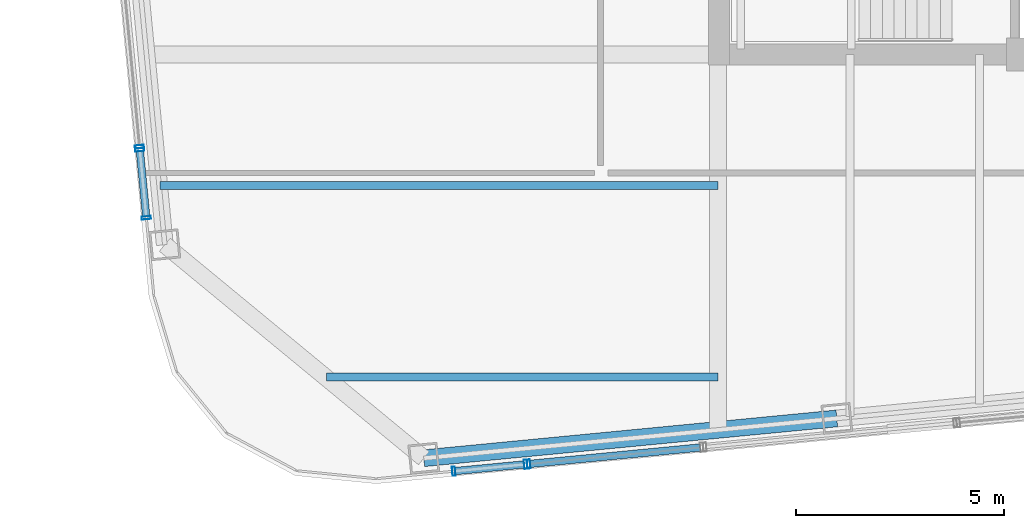
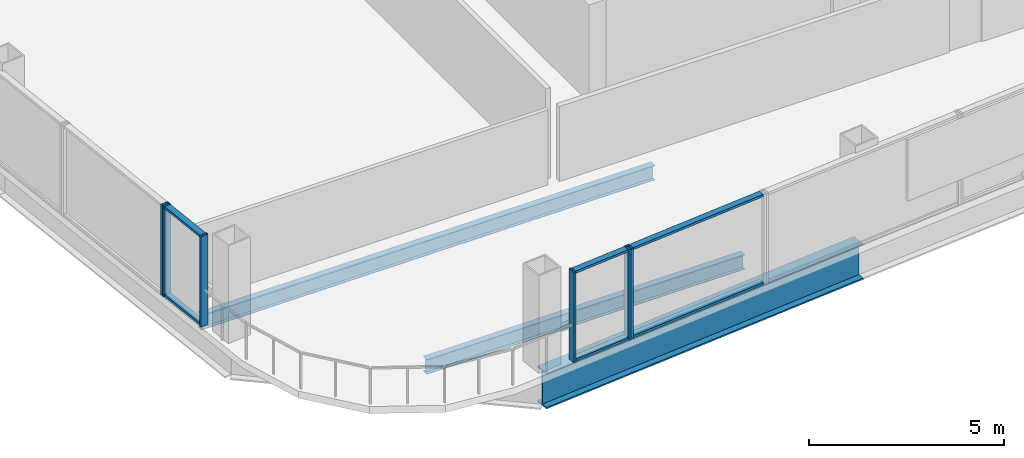
# One storey, part 2 of 28: 12 members, 3 beams, 4 elements without a shape of their own.
"""IFC4 building model written with IfcOpenShell, lengths in metres."""

import ifcopenshell
import ifcopenshell.guid

model = None  # the IFC model being written
_history = None  # IfcOwnerHistory: only IFC2X3 demands one
_inside = {}  # id of a spatial element -> (the spatial element, [elements in it])
_under = {}  # id of a project, library or spatial element -> (it, [spatial elements below it])
_declared = {}  # id of a project -> (the project, [libraries it declares])
_typed = {}  # id of a type object -> (the type object, [elements of that type])
_made_of = {}  # id of a material, layer set ... -> (it, [elements and type objects made of it])


def new_model(schema):
    """Start an empty IFC model of exactly this schema.

    Asked for "IFC4X3", IfcOpenShell would pick the latest addendum, in which some entities
    have other attributes; the version numbers below select the first issue.
    IFC2X3 requires an IfcOwnerHistory on every rooted entity: one is made here for all.
    """
    global model, _history
    if schema == "IFC4X3":
        model = ifcopenshell.file(schema_version=(4, 3, 0, 0))
    else:
        model = ifcopenshell.file(schema=schema)
    _inside.clear()
    _under.clear()
    _declared.clear()
    _typed.clear()
    _made_of.clear()
    _history = None
    if model.schema == "IFC2X3":
        org = make("IfcOrganization", Name="unknown")
        user = make(
            "IfcPersonAndOrganization",
            ThePerson=make("IfcPerson", FamilyName="unknown"),
            TheOrganization=org,
        )
        app = make(
            "IfcApplication",
            ApplicationDeveloper=org,
            Version="unknown",
            ApplicationFullName="unknown",
            ApplicationIdentifier="unknown",
        )
        _history = make(
            "IfcOwnerHistory",
            OwningUser=user,
            OwningApplication=app,
            ChangeAction="ADDED",
            CreationDate=0,
        )
    return model


def make(cls, **values):
    """One entity of the class cls with the attributes given. An attribute that is None is left unset."""
    return model.create_entity(
        cls, **{name: value for name, value in values.items() if value is not None}
    )


def rooted(cls, **values):
    """An entity with a GlobalId (a new one), such as an element, a storey or a relation."""
    return make(cls, GlobalId=ifcopenshell.guid.new(), OwnerHistory=_history, **values)


def si_unit(unit_type, name, prefix=None):
    """IfcSIUnit, for example si_unit("LENGTHUNIT", "METRE", prefix="MILLI")."""
    return make("IfcSIUnit", UnitType=unit_type, Prefix=prefix, Name=name)


def assignment(units):
    """IfcUnitAssignment: the units of a project."""
    return None if units is None else make("IfcUnitAssignment", Units=units)


def point(xyz):
    """IfcCartesianPoint."""
    return None if xyz is None else make("IfcCartesianPoint", Coordinates=xyz)


def direction(xyz):
    """IfcDirection."""
    return None if xyz is None else make("IfcDirection", DirectionRatios=xyz)


def frame(location, z_axis=None, x_axis=None):
    """IfcAxis2Placement3D, a coordinate frame: its origin and axes. An axis left out is left unset."""
    return make(
        "IfcAxis2Placement3D",
        Location=point(location),
        Axis=direction(z_axis),
        RefDirection=direction(x_axis),
    )


def frame_2d(location, x_axis=None):
    """IfcAxis2Placement2D, a coordinate frame in the plane: its origin and x axis."""
    return make(
        "IfcAxis2Placement2D", Location=point(location), RefDirection=direction(x_axis)
    )


def origin():
    """The frame at (0, 0, 0) with its axes left unset."""
    return frame((0.0, 0.0, 0.0))


def origin_2d():
    """The frame at (0, 0) in the plane with its x axis left unset."""
    return frame_2d((0.0, 0.0))


def place(relative_to, where):
    """IfcLocalPlacement: puts the frame where relative to a parent placement (None: the world)."""
    return make(
        "IfcLocalPlacement", PlacementRelTo=relative_to, RelativePlacement=where
    )


def context(
    kind, dimensions, precision=None, world=None, true_north=None, identifier=None
):
    """IfcGeometricRepresentationContext, for example the 3D "Model" context."""
    return make(
        "IfcGeometricRepresentationContext",
        ContextIdentifier=identifier,
        ContextType=kind,
        CoordinateSpaceDimension=dimensions,
        Precision=precision,
        WorldCoordinateSystem=world,
        TrueNorth=true_north,
    )


def subcontext(parent, identifier, kind, view, scale=None):
    """IfcGeometricRepresentationSubContext, for example "Body" below "Model"."""
    return make(
        "IfcGeometricRepresentationSubContext",
        ContextIdentifier=identifier,
        ContextType=kind,
        ParentContext=parent,
        TargetScale=scale,
        TargetView=view,
    )


def project(units=None, contexts=None):
    """IfcProject with its units and contexts."""
    return rooted(
        "IfcProject",
        Name="project",
        RepresentationContexts=contexts,
        UnitsInContext=assignment(units),
    )


def spatial(cls, under=None, at=None, **own):
    """A site, building, storey or space (cls), placed at a placement, below another one or the project."""
    s = rooted(cls, ObjectPlacement=at, **own)
    if under is not None:
        _under.setdefault(under.id(), (under, []))[1].append(s)
    return s


def profile(cls, at=None, kind="AREA", **sizes):
    """A parametric profile (cls). Its sizes go by their IFC names, for example OverallWidth=200.0."""
    return make(cls, ProfileType=kind, Position=at, **sizes)


def hollow_rectangle(**sizes):
    """IfcRectangleHollowProfileDef."""
    return profile("IfcRectangleHollowProfileDef", **sizes)


def i_section(**sizes):
    """IfcIShapeProfileDef."""
    return profile("IfcIShapeProfileDef", **sizes)


def extrude(swept, where, along, depth):
    """IfcExtrudedAreaSolid: the profile swept, set in the frame where, extruded along a direction by depth."""
    return make(
        "IfcExtrudedAreaSolid",
        SweptArea=swept,
        Position=where,
        ExtrudedDirection=direction(along),
        Depth=depth,
    )


def shape(context_of_items, identifier, shape_type, items):
    """IfcShapeRepresentation: the items that make up one representation, for example the "Body"."""
    return make(
        "IfcShapeRepresentation",
        ContextOfItems=context_of_items,
        RepresentationIdentifier=identifier,
        RepresentationType=shape_type,
        Items=items,
    )


def material(Name=None, Category=None):
    """IfcMaterial."""
    return make("IfcMaterial", Name=Name, Category=Category)


def layer(
    of_material, thickness, ventilated=None, Name=None, Category=None, Priority=None
):
    """IfcMaterialLayer: one layer of a wall or slab, of a material (None: an air gap)."""
    return make(
        "IfcMaterialLayer",
        Material=of_material,
        LayerThickness=thickness,
        IsVentilated=ventilated,
        Name=Name,
        Category=Category,
        Priority=Priority,
    )


def layer_set(layers, Name=None):
    """IfcMaterialLayerSet."""
    return make("IfcMaterialLayerSet", MaterialLayers=layers, LayerSetName=Name)


def material_profile(
    of_material, cross_section, Name=None, Category=None, Priority=None
):
    """IfcMaterialProfile: a cross section and its material."""
    return make(
        "IfcMaterialProfile",
        Name=Name,
        Material=of_material,
        Profile=cross_section,
        Priority=Priority,
        Category=Category,
    )


def profile_set(profiles, Name=None, composite=None):
    """IfcMaterialProfileSet."""
    return make(
        "IfcMaterialProfileSet",
        Name=Name,
        MaterialProfiles=profiles,
        CompositeProfile=composite,
    )


def made_of(thing, what):
    """Note that an element or type object is made of a material, layer set ...; save() writes the relation."""
    if what is not None:
        _made_of.setdefault(what.id(), (what, []))[1].append(thing)
    return thing


def type_object(cls, material=None, **own):
    """A type object (cls), such as IfcWallType, which elements share."""
    return made_of(rooted(cls, **own), material)


def element(
    cls,
    number,
    at=None,
    inside=None,
    cuts=None,
    type_object=None,
    material=None,
    context=None,
    identifier="Body",
    shape_type=None,
    held_by="IfcProductDefinitionShape",
    body=None,
    shapes=None,
    **own,
):
    """One element of the class cls, such as IfcWall. Its Tag is "e" and its number.

    at: its placement. inside: the storey or other place that contains it. cuts: it is an
    opening in that element (IfcRelVoidsElement). A single representation is given by context,
    identifier, shape_type and body (its items); several are given by shapes. held_by: the class
    of the entity that holds the representations. save() writes the other relations.
    """
    e = rooted(cls, Tag="e%d" % number, ObjectPlacement=at, **own)
    if body is not None:
        shapes = [shape(context, identifier, shape_type, body)]
    if shapes is not None:
        e.Representation = make(held_by, Representations=shapes)
    if inside is not None:
        _inside.setdefault(inside.id(), (inside, []))[1].append(e)
    if cuts is not None:
        rooted(
            "IfcRelVoidsElement", RelatingBuildingElement=cuts, RelatedOpeningElement=e
        )
    if type_object is not None:
        _typed.setdefault(type_object.id(), (type_object, []))[1].append(e)
    return made_of(e, material)


def aggregate(whole, parts):
    """IfcRelAggregates: a whole, such as a stair, and the parts it consists of."""
    return rooted("IfcRelAggregates", RelatingObject=whole, RelatedObjects=parts)


def save(model, path):
    """Write the relations noted so far, then the file.

    IfcRelAggregates (storeys below a building ...), IfcRelContainedInSpatialStructure (elements
    in a storey), IfcRelDefinesByType, IfcRelAssociatesMaterial and IfcRelDeclares: one each for
    every whole, place, type object, material and project.
    """
    for whole, parts in _under.values():
        aggregate(whole, parts)
    for where, things in _inside.values():
        rooted(
            "IfcRelContainedInSpatialStructure",
            RelatedElements=things,
            RelatingStructure=where,
        )
    for kind, things in _typed.values():
        rooted("IfcRelDefinesByType", RelatedObjects=things, RelatingType=kind)
    for what, things in _made_of.values():
        rooted("IfcRelAssociatesMaterial", RelatedObjects=things, RelatingMaterial=what)
    for by, libraries in _declared.values():
        rooted("IfcRelDeclares", RelatingContext=by, RelatedDefinitions=libraries)
    model.write(path)


model = new_model("IFC4")

# Units and contexts
model_context = context("Model", 3, precision=1e-05, world=origin(), true_north=direction((0.0, 1.0)))
body_context = subcontext(model_context, "Body", "Model", "MODEL_VIEW")
ifc_project = project(units=[si_unit("LENGTHUNIT", "METRE"), si_unit("AREAUNIT", "SQUARE_METRE"), si_unit("VOLUMEUNIT", "CUBIC_METRE"), si_unit("PLANEANGLEUNIT", "RADIAN"), si_unit("MASSUNIT", "GRAM", prefix="KILO")], contexts=[model_context])

# Site, building, storey
site_placement = place(None, origin())
site = spatial("IfcSite", under=ifc_project, at=site_placement, CompositionType="ELEMENT")
building_placement = place(site_placement, origin())
building = spatial("IfcBuilding", under=site, at=building_placement, Name="Qhalaya Broadcast Tower", CompositionType="ELEMENT")
storey_placement = place(building_placement, frame((0.0, 0.0, 159.199951171875)))
storey = spatial("IfcBuildingStorey", under=building, at=storey_placement, Name="L46", CompositionType="ELEMENT", Elevation=159.199951171875)

# Beams
ifc_material_1 = material(Name="Structural Steel ASTM A992 Grade 50", Category="steel")
ifc_material_profile_1 = material_profile(ifc_material_1, i_section(OverallWidth=0.19189453125, OverallDepth=0.462890625, WebThickness=0.010498046875, FlangeThickness=0.017578125, at=origin_2d()), Name="W18X60")
ifc_profile_set_1 = profile_set([ifc_material_profile_1], Name="Structural Steel ASTM A992 Grade 50")
beam_type_1 = type_object("IfcBeamType", Name="Composite Floor Joist J03", PredefinedType="JOIST", material=ifc_profile_set_1)
beam_1_placement = place(storey_placement, frame((-18.7734375, -16.5, -0.451416015625), z_axis=(1.0, 0.0, 0.0), x_axis=(0.0, 1.0, 0.0)))
element("IfcBeam", 1, at=beam_1_placement, inside=storey, type_object=beam_type_1, Name="L46 J03 L46-JWE1W-1", PredefinedType="JOIST", context=body_context, shape_type="SweptSolid", body=[
    extrude(i_section(OverallWidth=0.19189453125, OverallDepth=0.462890625, WebThickness=0.010498046875, FlangeThickness=0.017578125, at=origin_2d()), origin(), (0.0, 0.0, 1.0), 9.3984375),
])
beam_2_placement = place(storey_placement, frame((-22.77880859375, -11.89990234375, -0.451416015625), z_axis=(1.0, 0.0, 0.0), x_axis=(0.0, 1.0, 0.0)))
element("IfcBeam", 2, at=beam_2_placement, inside=storey, type_object=beam_type_1, Name="L46 J03 L46-JWE2W-1", PredefinedType="JOIST", context=body_context, shape_type="SweptSolid", body=[
    extrude(i_section(OverallWidth=0.19189453125, OverallDepth=0.462890625, WebThickness=0.010498046875, FlangeThickness=0.017578125, at=origin_2d()), origin(), (0.0, 0.0, 1.0), 13.40380859375),
])
ifc_material_profile_2 = material_profile(ifc_material_1, i_section(OverallWidth=0.404052734375, OverallDepth=1.117919921875, WebThickness=0.026123046875, FlangeThickness=0.044921875, at=origin_2d()), Name="W44X335")
ifc_profile_set_2 = profile_set([ifc_material_profile_2], Name="Structural Steel ASTM A992 Grade 50")
beam_type_2 = type_object("IfcBeamType", Name="Podium Long-Span Primary Girder PG1", PredefinedType="USERDEFINED", material=ifc_profile_set_2)
beam_3_placement = place(storey_placement, frame((-16.44189453125, -18.44775390625, -0.779052734375), z_axis=(0.995397846936, 0.09582862993, 0.0), x_axis=(-0.09582862993, 0.995397846936, 0.0)))
element("IfcBeam", 3, at=beam_3_placement, inside=storey, type_object=beam_type_2, Name="L46 PG1 L46-SPR-01", ObjectType="GIRDER", PredefinedType="USERDEFINED", context=body_context, shape_type="SweptSolid", body=[
    extrude(i_section(OverallWidth=0.404052734375, OverallDepth=1.117919921875, WebThickness=0.026123046875, FlangeThickness=0.044921875, at=origin_2d()), origin(), (0.0, 0.0, 1.0), 9.966552734375),
])

# Curtain wall, members
ifc_material_2 = material(Name="Fired Architectural Terracotta", Category="masonry")
ifc_layer_1 = layer(ifc_material_2, 0.219970703125, Name="Fired Architectural Terracotta")
ifc_layer_set_1 = layer_set([ifc_layer_1], Name="Fired Architectural Terracotta")
curtain_wall_type_1 = type_object("IfcCurtainWallType", Name="Block-Cap Unitised Terracotta Spandrel Wall CW-07", PredefinedType="NOTDEFINED", material=ifc_layer_set_1)
curtain_wall_1_placement = place(storey_placement, origin())
curtain_wall_1 = element("IfcCurtainWall", 4, at=curtain_wall_1_placement, inside=storey, type_object=curtain_wall_type_1, Name="L46 Unitised Curtain Wall L46-CW-S1", PredefinedType="NOTDEFINED")
ifc_material_3 = material(Name="Anodised Aluminium 6063-T6", Category="aluminium")
ifc_material_profile_3 = material_profile(ifc_material_3, hollow_rectangle(XDim=0.074951171875, YDim=0.219970703125, WallThickness=0.00390625, at=origin_2d()), Name="ALU-MUL 75x220x4")
ifc_profile_set_3 = profile_set([ifc_material_profile_3], Name="Anodised Aluminium 6063-T6")
member_type_1 = type_object("IfcMemberType", Name="Unitised Curtain-Wall Mullion M01", PredefinedType="MULLION", material=ifc_profile_set_3)
member_1_placement = place(storey_placement, frame((-15.72119140625, -18.76025390625, 0.0), z_axis=(0.0, 0.0, 1.0), x_axis=(0.995395744559, 0.095850465381, 0.0)))
member_1 = element("IfcMember", 5, at=member_1_placement, type_object=member_type_1, Name="CW-07 mullion 1", PredefinedType="MULLION", context=body_context, shape_type="SweptSolid", body=[
    extrude(hollow_rectangle(XDim=0.074951171875, YDim=0.219970703125, WallThickness=0.00390625, at=origin_2d()), origin(), (0.0, 0.0, 1.0), 2.830078125),
])
member_2_placement = place(storey_placement, frame((-13.99609375, -18.593994140625, 0.0), z_axis=(0.0, 0.0, 1.0), x_axis=(0.995395744559, 0.095850465381, 0.0)))
member_2 = element("IfcMember", 6, at=member_2_placement, type_object=member_type_1, Name="CW-07 mullion 2", PredefinedType="MULLION", context=body_context, shape_type="SweptSolid", body=[
    extrude(hollow_rectangle(XDim=0.074951171875, YDim=0.219970703125, WallThickness=0.00390625, at=origin_2d()), origin(), (0.0, 0.0, 1.0), 2.830078125),
])

# Curtain wall, member
ifc_material_4 = material(Name="Solar-Control Low-E Triple Glazing", Category="glass")
ifc_layer_2 = layer(ifc_material_4, 0.219970703125, Name="Solar-Control Low-E Triple Glazing")
ifc_layer_set_2 = layer_set([ifc_layer_2], Name="Solar-Control Low-E Triple Glazing")
curtain_wall_type_2 = type_object("IfcCurtainWallType", Name="Even-Block 4-Storey Double-Module Curtain Wall CW-03", PredefinedType="NOTDEFINED", material=ifc_layer_set_2)
curtain_wall_2_placement = place(storey_placement, origin())
curtain_wall_2 = element("IfcCurtainWall", 7, at=curtain_wall_2_placement, inside=storey, type_object=curtain_wall_type_2, Name="L46 Unitised Curtain Wall L46-CW-S2", PredefinedType="NOTDEFINED")
member_3_placement = place(storey_placement, frame((-13.92138671875, -18.5869140625, 0.0), z_axis=(0.0, 0.0, 1.0), x_axis=(0.995397122956, 0.095836149814, 0.0)))
member_3 = element("IfcMember", 8, at=member_3_placement, type_object=member_type_1, Name="CW-03 mullion 1", PredefinedType="MULLION", context=body_context, shape_type="SweptSolid", body=[
    extrude(hollow_rectangle(XDim=0.074951171875, YDim=0.219970703125, WallThickness=0.00390625, at=origin_2d()), origin(), (0.0, 0.0, 1.0), 2.830078125),
])

curtain_wall_3_placement = place(storey_placement, origin())
curtain_wall_3 = element("IfcCurtainWall", 9, at=curtain_wall_3_placement, inside=storey, type_object=curtain_wall_type_2, Name="L46 Unitised Curtain Wall L46-CW-W6", PredefinedType="NOTDEFINED")
member_4_placement = place(storey_placement, frame((-23.2705078125, -10.96533203125, 0.0), z_axis=(0.0, 0.0, 1.0), x_axis=(0.095832224028, -0.99539750092, 0.0)))
member_4 = element("IfcMember", 10, at=member_4_placement, type_object=member_type_1, Name="CW-03 mullion 2", PredefinedType="MULLION", context=body_context, shape_type="SweptSolid", body=[
    extrude(hollow_rectangle(XDim=0.074951171875, YDim=0.219970703125, WallThickness=0.00390625, at=origin_2d()), origin(), (0.0, 0.0, 1.0), 2.830078125),
])
aggregate(curtain_wall_3, [member_4])

# Curtain wall, members
curtain_wall_4_placement = place(storey_placement, origin())
curtain_wall_4 = element("IfcCurtainWall", 11, at=curtain_wall_4_placement, inside=storey, type_object=curtain_wall_type_1, Name="L46 Unitised Curtain Wall L46-CW-W7", PredefinedType="NOTDEFINED")
member_5_placement = place(storey_placement, frame((-23.263427734375, -11.0400390625, 0.0), z_axis=(0.0, 0.0, 1.0), x_axis=(0.095860176134, -0.995394809426, 0.0)))
member_5 = element("IfcMember", 12, at=member_5_placement, type_object=member_type_1, Name="CW-07 mullion 1", PredefinedType="MULLION", context=body_context, shape_type="SweptSolid", body=[
    extrude(hollow_rectangle(XDim=0.074951171875, YDim=0.219970703125, WallThickness=0.00390625, at=origin_2d()), origin(), (0.0, 0.0, 1.0), 2.830078125),
])
member_6_placement = place(storey_placement, frame((-23.106201171875, -12.67236328125, 0.0), z_axis=(0.0, 0.0, 1.0), x_axis=(0.095860176134, -0.995394809426, 0.0)))
member_6 = element("IfcMember", 13, at=member_6_placement, type_object=member_type_1, Name="CW-07 mullion 2", PredefinedType="MULLION", context=body_context, shape_type="SweptSolid", body=[
    extrude(hollow_rectangle(XDim=0.074951171875, YDim=0.219970703125, WallThickness=0.00390625, at=origin_2d()), origin(), (0.0, 0.0, 1.0), 2.830078125),
])

# Member
ifc_material_profile_4 = material_profile(ifc_material_3, hollow_rectangle(XDim=0.074951171875, YDim=0.179931640625, WallThickness=0.00390625, at=origin_2d()), Name="ALU-TRN 75x180x4")
ifc_profile_set_4 = profile_set([ifc_material_profile_4], Name="Anodised Aluminium 6063-T6")
member_type_2 = type_object("IfcMemberType", Name="Unitised Curtain-Wall Transom T01", PredefinedType="USERDEFINED", material=ifc_profile_set_4)
member_7_placement = place(storey_placement, frame((-15.683837890625, -18.756591796875, 0.03759765625), z_axis=(0.995394989671, 0.095858304479, 0.0), x_axis=(0.0, 0.0, 1.0)))
member_7 = element("IfcMember", 14, at=member_7_placement, type_object=member_type_2, Name="CW-07 transom 1.1", ObjectType="TRANSOM", PredefinedType="USERDEFINED", context=body_context, shape_type="SweptSolid", body=[
    extrude(hollow_rectangle(XDim=0.074951171875, YDim=0.179931640625, WallThickness=0.00390625, at=origin_2d()), origin(), (0.0, 0.0, 1.0), 1.657958984375),
])

member_8_placement = place(storey_placement, frame((-15.683837890625, -18.756591796875, 2.79248046875), z_axis=(0.995394989671, 0.095858304479, 0.0), x_axis=(0.0, 0.0, 1.0)))
member_8 = element("IfcMember", 15, at=member_8_placement, type_object=member_type_2, Name="CW-07 transom 1.2", ObjectType="TRANSOM", PredefinedType="USERDEFINED", context=body_context, shape_type="SweptSolid", body=[
    extrude(hollow_rectangle(XDim=0.074951171875, YDim=0.179931640625, WallThickness=0.00390625, at=origin_2d()), origin(), (0.0, 0.0, 1.0), 1.657958984375),
])

aggregate(curtain_wall_1, [member_1, member_2, member_7, member_8])

member_9_placement = place(storey_placement, frame((-13.884033203125, -18.583251953125, 0.03759765625), z_axis=(0.995399423143, 0.095812256032, 0.0), x_axis=(0.0, 0.0, 1.0)))
member_9 = element("IfcMember", 16, at=member_9_placement, type_object=member_type_2, Name="CW-03 transom 1.1", ObjectType="TRANSOM", PredefinedType="USERDEFINED", context=body_context, shape_type="SweptSolid", body=[
    extrude(hollow_rectangle(XDim=0.074951171875, YDim=0.179931640625, WallThickness=0.00390625, at=origin_2d()), origin(), (0.0, 0.0, 1.0), 4.099853515625),
])

member_10_placement = place(storey_placement, frame((-13.884033203125, -18.583251953125, 2.79248046875), z_axis=(0.995399423143, 0.095812256032, 0.0), x_axis=(0.0, 0.0, 1.0)))
member_10 = element("IfcMember", 17, at=member_10_placement, type_object=member_type_2, Name="CW-03 transom 1.2", ObjectType="TRANSOM", PredefinedType="USERDEFINED", context=body_context, shape_type="SweptSolid", body=[
    extrude(hollow_rectangle(XDim=0.074951171875, YDim=0.179931640625, WallThickness=0.00390625, at=origin_2d()), origin(), (0.0, 0.0, 1.0), 4.099853515625),
])

aggregate(curtain_wall_2, [member_3, member_9, member_10])

member_11_placement = place(storey_placement, frame((-23.259765625, -11.077392578125, 0.03759765625), z_axis=(0.095780772015, -0.995402453138, 0.0), x_axis=(0.0, 0.0, 1.0)))
member_11 = element("IfcMember", 18, at=member_11_placement, type_object=member_type_2, Name="CW-07 transom 1.1", ObjectType="TRANSOM", PredefinedType="USERDEFINED", context=body_context, shape_type="SweptSolid", body=[
    extrude(hollow_rectangle(XDim=0.074951171875, YDim=0.179931640625, WallThickness=0.00390625, at=origin_2d()), origin(), (0.0, 0.0, 1.0), 1.56494140625),
])

member_12_placement = place(storey_placement, frame((-23.259765625, -11.077392578125, 2.79248046875), z_axis=(0.095780772015, -0.995402453138, 0.0), x_axis=(0.0, 0.0, 1.0)))
member_12 = element("IfcMember", 19, at=member_12_placement, type_object=member_type_2, Name="CW-07 transom 1.2", ObjectType="TRANSOM", PredefinedType="USERDEFINED", context=body_context, shape_type="SweptSolid", body=[
    extrude(hollow_rectangle(XDim=0.074951171875, YDim=0.179931640625, WallThickness=0.00390625, at=origin_2d()), origin(), (0.0, 0.0, 1.0), 1.56494140625),
])

aggregate(curtain_wall_4, [member_5, member_6, member_11, member_12])

save(model, "model.ifc")
